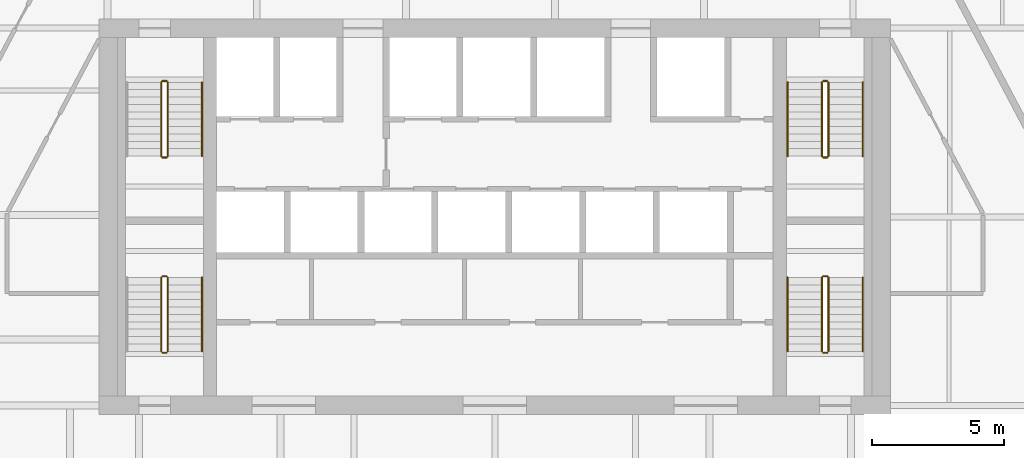
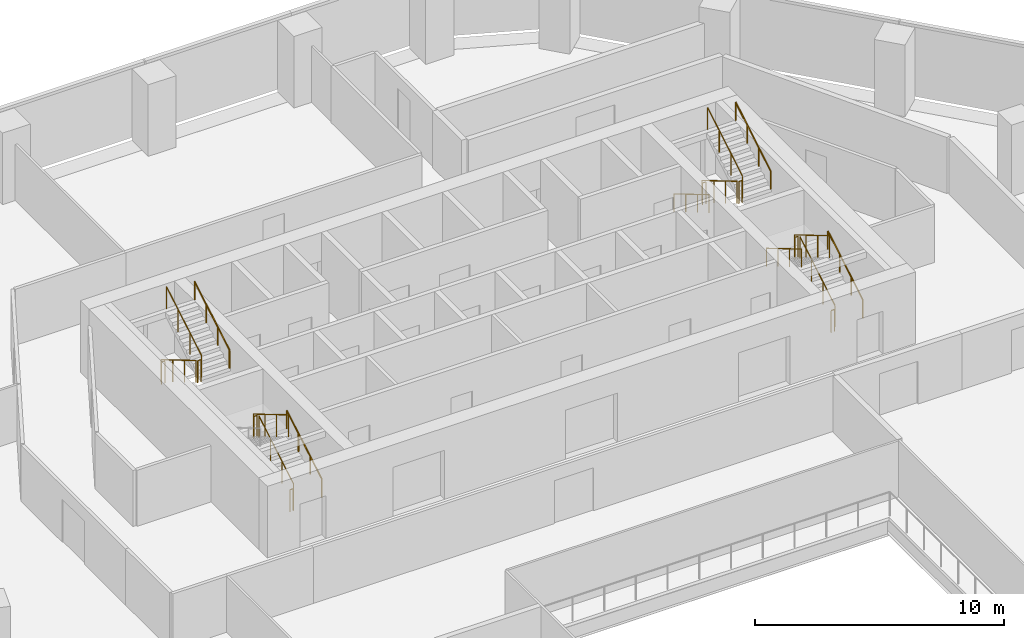
# One storey, part 15 of 16: 22 railings.
"""IFC4 building model written with IfcOpenShell, lengths in metres."""

from ifc_helpers import new_model, si_unit, direction, frame, origin, origin_2d, place, context, subcontext, project, spatial, circle, extrude, material, type_object, element, save


model = new_model("IFC4")

# Units and contexts
model_context = context("Model", 3, precision=1e-05, world=origin(), true_north=direction((0.0, 1.0)))
body_context = subcontext(model_context, "Body", "Model", "MODEL_VIEW")
ifc_project = project(units=[si_unit("LENGTHUNIT", "METRE"), si_unit("AREAUNIT", "SQUARE_METRE"), si_unit("VOLUMEUNIT", "CUBIC_METRE"), si_unit("PLANEANGLEUNIT", "RADIAN"), si_unit("MASSUNIT", "GRAM", prefix="KILO")], contexts=[model_context])

# Site, building, storey
site_placement = place(None, origin())
site = spatial("IfcSite", under=ifc_project, at=site_placement, CompositionType="ELEMENT")
building_placement = place(site_placement, origin())
building = spatial("IfcBuilding", under=site, at=building_placement, Name="Isthmus Gate Tower", CompositionType="ELEMENT")
storey_placement = place(building_placement, frame((0.0, 0.0, 170.800048828125)))
storey = spatial("IfcBuildingStorey", under=building, at=storey_placement, Name="L42", CompositionType="ELEMENT", Elevation=170.800048828125)

# Railings
ifc_material_1 = material(Name="Stainless steel balustrade", Category="steel")
railing_type_1 = type_object("IfcRailingType", Name="STAIR GUARD 1100", PredefinedType="GUARDRAIL", material=ifc_material_1)
railing_1_placement = place(storey_placement, frame((-12.64990234375, 12.60009765625, 0.165771484375)))
element("IfcRailing", 1, at=railing_1_placement, inside=storey, type_object=railing_type_1, Name="L42 ST1 stair guard 1", PredefinedType="GUARDRAIL", context=body_context, shape_type="SweptSolid", body=[
    extrude(circle(Radius=0.02392578125, at=origin_2d()), frame((0.0, 0.0, 1.076171875), z_axis=(0.0, -0.860306154799, 0.50977771628), x_axis=(1.0, 0.0, 0.0)), (0.0, 0.0, 1.0), 3.254638671875),
    extrude(circle(Radius=0.02099609375, at=origin_2d()), origin(), (0.0, 0.0, 1.0), 1.052001953125),
    extrude(circle(Radius=0.02099609375, at=origin_2d()), frame((0.0, -0.933349609375, 0.552978515625)), (0.0, 0.0, 1.0), 1.052001953125),
    extrude(circle(Radius=0.02099609375, at=origin_2d()), frame((0.0, -1.86669921875, 1.106201171875)), (0.0, 0.0, 1.0), 1.052001953125),
    extrude(circle(Radius=0.02099609375, at=origin_2d()), frame((0.0, -2.800048828125, 1.6591796875)), (0.0, 0.0, 1.0), 1.052001953125),
])
railing_2_placement = place(storey_placement, frame((-12.60009765625, 9.75, 1.824951171875)))
element("IfcRailing", 2, at=railing_2_placement, inside=storey, type_object=railing_type_1, Name="L42 ST1 stair guard 2", PredefinedType="GUARDRAIL", context=body_context, shape_type="SweptSolid", body=[
    extrude(circle(Radius=0.02392578125, at=origin_2d()), frame((0.0, 0.0, 1.076171875), z_axis=(1.0, 0.0, 0.0), x_axis=(0.0, 1.0, 0.0)), (0.0, 0.0, 1.0), 0.150146484375),
    extrude(circle(Radius=0.02099609375, at=origin_2d()), origin(), (0.0, 0.0, 1.0), 1.052001953125),
    extrude(circle(Radius=0.02099609375, at=origin_2d()), frame((0.150146484375, 0.0, 0.0)), (0.0, 0.0, 1.0), 1.052001953125),
])
railing_3_placement = place(storey_placement, frame((-12.39990234375, 9.800048828125, 1.990966796875)))
element("IfcRailing", 3, at=railing_3_placement, inside=storey, type_object=railing_type_1, Name="L42 ST1 stair guard 3", PredefinedType="GUARDRAIL", context=body_context, shape_type="SweptSolid", body=[
    extrude(circle(Radius=0.02392578125, at=origin_2d()), frame((0.0, 0.0, 1.076171875), z_axis=(0.0, 0.860339051648, 0.50972219513), x_axis=(-1.0, 0.0, 0.0)), (0.0, 0.0, 1.0), 3.254638671875),
    extrude(circle(Radius=0.02099609375, at=origin_2d()), origin(), (0.0, 0.0, 1.0), 1.052001953125),
    extrude(circle(Radius=0.02099609375, at=origin_2d()), frame((0.0, 0.933349609375, 0.552978515625)), (0.0, 0.0, 1.0), 1.052001953125),
    extrude(circle(Radius=0.02099609375, at=origin_2d()), frame((0.0, 1.86669921875, 1.10595703125)), (0.0, 0.0, 1.0), 1.052001953125),
    extrude(circle(Radius=0.02099609375, at=origin_2d()), frame((0.0, 2.800048828125, 1.658935546875)), (0.0, 0.0, 1.0), 1.052001953125),
])
railing_4_placement = place(storey_placement, frame((-12.60009765625, 12.64990234375, 0.0)))
element("IfcRailing", 4, at=railing_4_placement, inside=storey, type_object=railing_type_1, Name="L42 ST1 stair guard 4", PredefinedType="GUARDRAIL", context=body_context, shape_type="SweptSolid", body=[
    extrude(circle(Radius=0.02392578125, at=origin_2d()), frame((0.0, 0.0, 1.076171875), z_axis=(1.0, 0.0, 0.0), x_axis=(0.0, 1.0, 0.0)), (0.0, 0.0, 1.0), 0.150146484375),
    extrude(circle(Radius=0.02099609375, at=origin_2d()), origin(), (0.0, 0.0, 1.0), 1.052001953125),
    extrude(circle(Radius=0.02099609375, at=origin_2d()), frame((0.150146484375, 0.0, 0.0)), (0.0, 0.0, 1.0), 1.052001953125),
])
railing_5_placement = place(storey_placement, frame((12.39990234375, 12.60009765625, 0.165771484375)))
element("IfcRailing", 5, at=railing_5_placement, inside=storey, type_object=railing_type_1, Name="L42 ST2 stair guard 1", PredefinedType="GUARDRAIL", context=body_context, shape_type="SweptSolid", body=[
    extrude(circle(Radius=0.02392578125, at=origin_2d()), frame((0.0, 0.0, 1.076171875), z_axis=(0.0, -0.860306154799, 0.50977771628), x_axis=(1.0, 0.0, 0.0)), (0.0, 0.0, 1.0), 3.254638671875),
    extrude(circle(Radius=0.02099609375, at=origin_2d()), origin(), (0.0, 0.0, 1.0), 1.052001953125),
    extrude(circle(Radius=0.02099609375, at=origin_2d()), frame((0.0, -0.933349609375, 0.552978515625)), (0.0, 0.0, 1.0), 1.052001953125),
    extrude(circle(Radius=0.02099609375, at=origin_2d()), frame((0.0, -1.86669921875, 1.106201171875)), (0.0, 0.0, 1.0), 1.052001953125),
    extrude(circle(Radius=0.02099609375, at=origin_2d()), frame((0.0, -2.800048828125, 1.6591796875)), (0.0, 0.0, 1.0), 1.052001953125),
])
railing_6_placement = place(storey_placement, frame((12.449951171875, 9.75, 1.824951171875)))
element("IfcRailing", 6, at=railing_6_placement, inside=storey, type_object=railing_type_1, Name="L42 ST2 stair guard 2", PredefinedType="GUARDRAIL", context=body_context, shape_type="SweptSolid", body=[
    extrude(circle(Radius=0.02392578125, at=origin_2d()), frame((0.0, 0.0, 1.076171875), z_axis=(1.0, 0.0, 0.0), x_axis=(0.0, 1.0, 0.0)), (0.0, 0.0, 1.0), 0.150146484375),
    extrude(circle(Radius=0.02099609375, at=origin_2d()), origin(), (0.0, 0.0, 1.0), 1.052001953125),
    extrude(circle(Radius=0.02099609375, at=origin_2d()), frame((0.150146484375, 0.0, 0.0)), (0.0, 0.0, 1.0), 1.052001953125),
])
railing_7_placement = place(storey_placement, frame((12.64990234375, 9.800048828125, 1.990966796875)))
element("IfcRailing", 7, at=railing_7_placement, inside=storey, type_object=railing_type_1, Name="L42 ST2 stair guard 3", PredefinedType="GUARDRAIL", context=body_context, shape_type="SweptSolid", body=[
    extrude(circle(Radius=0.02392578125, at=origin_2d()), frame((0.0, 0.0, 1.076171875), z_axis=(0.0, 0.860339051648, 0.50972219513), x_axis=(-1.0, 0.0, 0.0)), (0.0, 0.0, 1.0), 3.254638671875),
    extrude(circle(Radius=0.02099609375, at=origin_2d()), origin(), (0.0, 0.0, 1.0), 1.052001953125),
    extrude(circle(Radius=0.02099609375, at=origin_2d()), frame((0.0, 0.933349609375, 0.552978515625)), (0.0, 0.0, 1.0), 1.052001953125),
    extrude(circle(Radius=0.02099609375, at=origin_2d()), frame((0.0, 1.86669921875, 1.10595703125)), (0.0, 0.0, 1.0), 1.052001953125),
    extrude(circle(Radius=0.02099609375, at=origin_2d()), frame((0.0, 2.800048828125, 1.658935546875)), (0.0, 0.0, 1.0), 1.052001953125),
])
railing_8_placement = place(storey_placement, frame((12.449951171875, 12.64990234375, 0.0)))
element("IfcRailing", 8, at=railing_8_placement, inside=storey, type_object=railing_type_1, Name="L42 ST2 stair guard 4", PredefinedType="GUARDRAIL", context=body_context, shape_type="SweptSolid", body=[
    extrude(circle(Radius=0.02392578125, at=origin_2d()), frame((0.0, 0.0, 1.076171875), z_axis=(1.0, 0.0, 0.0), x_axis=(0.0, 1.0, 0.0)), (0.0, 0.0, 1.0), 0.150146484375),
    extrude(circle(Radius=0.02099609375, at=origin_2d()), origin(), (0.0, 0.0, 1.0), 1.052001953125),
    extrude(circle(Radius=0.02099609375, at=origin_2d()), frame((0.150146484375, 0.0, 0.0)), (0.0, 0.0, 1.0), 1.052001953125),
])
railing_9_placement = place(storey_placement, frame((-12.39990234375, 2.39990234375, 0.165771484375)))
element("IfcRailing", 9, at=railing_9_placement, inside=storey, type_object=railing_type_1, Name="L42 ST7 stair guard 1", PredefinedType="GUARDRAIL", context=body_context, shape_type="SweptSolid", body=[
    extrude(circle(Radius=0.02392578125, at=origin_2d()), frame((0.0, 0.0, 1.076171875), z_axis=(0.0, 0.860306154799, 0.50977771628), x_axis=(-1.0, 0.0, 0.0)), (0.0, 0.0, 1.0), 3.254638671875),
    extrude(circle(Radius=0.02099609375, at=origin_2d()), origin(), (0.0, 0.0, 1.0), 1.052001953125),
    extrude(circle(Radius=0.02099609375, at=origin_2d()), frame((0.0, 0.933349609375, 0.552978515625)), (0.0, 0.0, 1.0), 1.052001953125),
    extrude(circle(Radius=0.02099609375, at=origin_2d()), frame((0.0, 1.86669921875, 1.106201171875)), (0.0, 0.0, 1.0), 1.052001953125),
    extrude(circle(Radius=0.02099609375, at=origin_2d()), frame((0.0, 2.800048828125, 1.6591796875)), (0.0, 0.0, 1.0), 1.052001953125),
])
railing_10_placement = place(storey_placement, frame((-12.449951171875, 5.25, 1.824951171875)))
element("IfcRailing", 10, at=railing_10_placement, inside=storey, type_object=railing_type_1, Name="L42 ST7 stair guard 2", PredefinedType="GUARDRAIL", context=body_context, shape_type="SweptSolid", body=[
    extrude(circle(Radius=0.02392578125, at=origin_2d()), frame((0.0, 0.0, 1.076171875), z_axis=(-1.0, 0.0, 0.0), x_axis=(0.0, -1.0, 0.0)), (0.0, 0.0, 1.0), 0.150146484375),
    extrude(circle(Radius=0.02099609375, at=origin_2d()), origin(), (0.0, 0.0, 1.0), 1.052001953125),
    extrude(circle(Radius=0.02099609375, at=origin_2d()), frame((-0.150146484375, 0.0, 0.0)), (0.0, 0.0, 1.0), 1.052001953125),
])
railing_11_placement = place(storey_placement, frame((-12.64990234375, 5.199951171875, 1.990966796875)))
element("IfcRailing", 11, at=railing_11_placement, inside=storey, type_object=railing_type_1, Name="L42 ST7 stair guard 3", PredefinedType="GUARDRAIL", context=body_context, shape_type="SweptSolid", body=[
    extrude(circle(Radius=0.02392578125, at=origin_2d()), frame((0.0, 0.0, 1.076171875), z_axis=(0.0, -0.860339051648, 0.50972219513), x_axis=(1.0, 0.0, 0.0)), (0.0, 0.0, 1.0), 3.254638671875),
    extrude(circle(Radius=0.02099609375, at=origin_2d()), origin(), (0.0, 0.0, 1.0), 1.052001953125),
    extrude(circle(Radius=0.02099609375, at=origin_2d()), frame((0.0, -0.933349609375, 0.552978515625)), (0.0, 0.0, 1.0), 1.052001953125),
    extrude(circle(Radius=0.02099609375, at=origin_2d()), frame((0.0, -1.86669921875, 1.10595703125)), (0.0, 0.0, 1.0), 1.052001953125),
    extrude(circle(Radius=0.02099609375, at=origin_2d()), frame((0.0, -2.800048828125, 1.658935546875)), (0.0, 0.0, 1.0), 1.052001953125),
])
railing_12_placement = place(storey_placement, frame((-12.449951171875, 2.35009765625, 0.0)))
element("IfcRailing", 12, at=railing_12_placement, inside=storey, type_object=railing_type_1, Name="L42 ST7 stair guard 4", PredefinedType="GUARDRAIL", context=body_context, shape_type="SweptSolid", body=[
    extrude(circle(Radius=0.02392578125, at=origin_2d()), frame((0.0, 0.0, 1.076171875), z_axis=(-1.0, 0.0, 0.0), x_axis=(0.0, -1.0, 0.0)), (0.0, 0.0, 1.0), 0.150146484375),
    extrude(circle(Radius=0.02099609375, at=origin_2d()), origin(), (0.0, 0.0, 1.0), 1.052001953125),
    extrude(circle(Radius=0.02099609375, at=origin_2d()), frame((-0.150146484375, 0.0, 0.0)), (0.0, 0.0, 1.0), 1.052001953125),
])
railing_13_placement = place(storey_placement, frame((12.64990234375, 2.39990234375, 0.165771484375)))
element("IfcRailing", 13, at=railing_13_placement, inside=storey, type_object=railing_type_1, Name="L42 ST8 stair guard 1", PredefinedType="GUARDRAIL", context=body_context, shape_type="SweptSolid", body=[
    extrude(circle(Radius=0.02392578125, at=origin_2d()), frame((0.0, 0.0, 1.076171875), z_axis=(0.0, 0.860306154799, 0.50977771628), x_axis=(-1.0, 0.0, 0.0)), (0.0, 0.0, 1.0), 3.254638671875),
    extrude(circle(Radius=0.02099609375, at=origin_2d()), origin(), (0.0, 0.0, 1.0), 1.052001953125),
    extrude(circle(Radius=0.02099609375, at=origin_2d()), frame((0.0, 0.933349609375, 0.552978515625)), (0.0, 0.0, 1.0), 1.052001953125),
    extrude(circle(Radius=0.02099609375, at=origin_2d()), frame((0.0, 1.86669921875, 1.106201171875)), (0.0, 0.0, 1.0), 1.052001953125),
    extrude(circle(Radius=0.02099609375, at=origin_2d()), frame((0.0, 2.800048828125, 1.6591796875)), (0.0, 0.0, 1.0), 1.052001953125),
])
railing_14_placement = place(storey_placement, frame((12.60009765625, 5.25, 1.824951171875)))
element("IfcRailing", 14, at=railing_14_placement, inside=storey, type_object=railing_type_1, Name="L42 ST8 stair guard 2", PredefinedType="GUARDRAIL", context=body_context, shape_type="SweptSolid", body=[
    extrude(circle(Radius=0.02392578125, at=origin_2d()), frame((0.0, 0.0, 1.076171875), z_axis=(-1.0, 0.0, 0.0), x_axis=(0.0, -1.0, 0.0)), (0.0, 0.0, 1.0), 0.150146484375),
    extrude(circle(Radius=0.02099609375, at=origin_2d()), origin(), (0.0, 0.0, 1.0), 1.052001953125),
    extrude(circle(Radius=0.02099609375, at=origin_2d()), frame((-0.150146484375, 0.0, 0.0)), (0.0, 0.0, 1.0), 1.052001953125),
])
railing_15_placement = place(storey_placement, frame((12.39990234375, 5.199951171875, 1.990966796875)))
element("IfcRailing", 15, at=railing_15_placement, inside=storey, type_object=railing_type_1, Name="L42 ST8 stair guard 3", PredefinedType="GUARDRAIL", context=body_context, shape_type="SweptSolid", body=[
    extrude(circle(Radius=0.02392578125, at=origin_2d()), frame((0.0, 0.0, 1.076171875), z_axis=(0.0, -0.860339051648, 0.50972219513), x_axis=(1.0, 0.0, 0.0)), (0.0, 0.0, 1.0), 3.254638671875),
    extrude(circle(Radius=0.02099609375, at=origin_2d()), origin(), (0.0, 0.0, 1.0), 1.052001953125),
    extrude(circle(Radius=0.02099609375, at=origin_2d()), frame((0.0, -0.933349609375, 0.552978515625)), (0.0, 0.0, 1.0), 1.052001953125),
    extrude(circle(Radius=0.02099609375, at=origin_2d()), frame((0.0, -1.86669921875, 1.10595703125)), (0.0, 0.0, 1.0), 1.052001953125),
    extrude(circle(Radius=0.02099609375, at=origin_2d()), frame((0.0, -2.800048828125, 1.658935546875)), (0.0, 0.0, 1.0), 1.052001953125),
])
railing_16_placement = place(storey_placement, frame((12.60009765625, 2.35009765625, 0.0)))
element("IfcRailing", 16, at=railing_16_placement, inside=storey, type_object=railing_type_1, Name="L42 ST8 stair guard 4", PredefinedType="GUARDRAIL", context=body_context, shape_type="SweptSolid", body=[
    extrude(circle(Radius=0.02392578125, at=origin_2d()), frame((0.0, 0.0, 1.076171875), z_axis=(-1.0, 0.0, 0.0), x_axis=(0.0, -1.0, 0.0)), (0.0, 0.0, 1.0), 0.150146484375),
    extrude(circle(Radius=0.02099609375, at=origin_2d()), origin(), (0.0, 0.0, 1.0), 1.052001953125),
    extrude(circle(Radius=0.02099609375, at=origin_2d()), frame((-0.150146484375, 0.0, 0.0)), (0.0, 0.0, 1.0), 1.052001953125),
])
ifc_material_2 = material(Name="Stainless steel handrail", Category="steel")
railing_type_2 = type_object("IfcRailingType", Name="STAIR HANDRAIL 900", PredefinedType="HANDRAIL", material=ifc_material_2)
railing_17_placement = place(storey_placement, frame((-11.10009765625, 9.800048828125, 1.990966796875)))
element("IfcRailing", 17, at=railing_17_placement, inside=storey, type_object=railing_type_2, Name="L42 ST1 stair handrail 2", PredefinedType="HANDRAIL", context=body_context, shape_type="SweptSolid", body=[
    extrude(circle(Radius=0.02392578125, at=origin_2d()), frame((0.0, 0.0, 0.8759765625), z_axis=(0.0, 0.860339051648, 0.50972219513), x_axis=(-1.0, 0.0, 0.0)), (0.0, 0.0, 1.0), 3.254638671875),
    extrude(circle(Radius=0.02099609375, at=origin_2d()), origin(), (0.0, 0.0, 1.0), 0.851806640625),
    extrude(circle(Radius=0.02099609375, at=origin_2d()), frame((0.0, 0.933349609375, 0.552978515625)), (0.0, 0.0, 1.0), 0.851806640625),
    extrude(circle(Radius=0.02099609375, at=origin_2d()), frame((0.0, 1.86669921875, 1.10595703125)), (0.0, 0.0, 1.0), 0.851806640625),
    extrude(circle(Radius=0.02099609375, at=origin_2d()), frame((0.0, 2.800048828125, 1.658935546875)), (0.0, 0.0, 1.0), 0.851806640625),
])
railing_18_placement = place(storey_placement, frame((11.10009765625, 12.60009765625, 0.165771484375)))
element("IfcRailing", 18, at=railing_18_placement, inside=storey, type_object=railing_type_2, Name="L42 ST2 stair handrail 1", PredefinedType="HANDRAIL", context=body_context, shape_type="SweptSolid", body=[
    extrude(circle(Radius=0.02392578125, at=origin_2d()), frame((0.0, 0.0, 0.8759765625), z_axis=(0.0, -0.860306154799, 0.50977771628), x_axis=(1.0, 0.0, 0.0)), (0.0, 0.0, 1.0), 3.254638671875),
    extrude(circle(Radius=0.02099609375, at=origin_2d()), origin(), (0.0, 0.0, 1.0), 0.851806640625),
    extrude(circle(Radius=0.02099609375, at=origin_2d()), frame((0.0, -0.933349609375, 0.552978515625)), (0.0, 0.0, 1.0), 0.851806640625),
    extrude(circle(Radius=0.02099609375, at=origin_2d()), frame((0.0, -1.86669921875, 1.106201171875)), (0.0, 0.0, 1.0), 0.851806640625),
    extrude(circle(Radius=0.02099609375, at=origin_2d()), frame((0.0, -2.800048828125, 1.6591796875)), (0.0, 0.0, 1.0), 0.851806640625),
])
railing_19_placement = place(storey_placement, frame((13.949951171875, 9.800048828125, 1.990966796875)))
element("IfcRailing", 19, at=railing_19_placement, inside=storey, type_object=railing_type_2, Name="L42 ST2 stair handrail 2", PredefinedType="HANDRAIL", context=body_context, shape_type="SweptSolid", body=[
    extrude(circle(Radius=0.02392578125, at=origin_2d()), frame((0.0, 0.0, 0.8759765625), z_axis=(0.0, 0.860339051648, 0.50972219513), x_axis=(-1.0, 0.0, 0.0)), (0.0, 0.0, 1.0), 3.254638671875),
    extrude(circle(Radius=0.02099609375, at=origin_2d()), origin(), (0.0, 0.0, 1.0), 0.851806640625),
    extrude(circle(Radius=0.02099609375, at=origin_2d()), frame((0.0, 0.933349609375, 0.552978515625)), (0.0, 0.0, 1.0), 0.851806640625),
    extrude(circle(Radius=0.02099609375, at=origin_2d()), frame((0.0, 1.86669921875, 1.10595703125)), (0.0, 0.0, 1.0), 0.851806640625),
    extrude(circle(Radius=0.02099609375, at=origin_2d()), frame((0.0, 2.800048828125, 1.658935546875)), (0.0, 0.0, 1.0), 0.851806640625),
])
for number, where, name in (
    (20, (-11.10009765625, 2.39990234375, 0.165771484375), "L42 ST7 stair handrail 1"),
    (21, (13.949951171875, 2.39990234375, 0.165771484375), "L42 ST8 stair handrail 1"),
):
    element("IfcRailing", number, at=place(storey_placement, frame(where)), inside=storey, type_object=railing_type_2, Name=name, PredefinedType="HANDRAIL", context=body_context, shape_type="SweptSolid", body=[
        extrude(circle(Radius=0.02392578125, at=origin_2d()), frame((0.0, 0.0, 0.8759765625), z_axis=(0.0, 0.860306154799, 0.50977771628), x_axis=(-1.0, 0.0, 0.0)), (0.0, 0.0, 1.0), 3.254638671875),
        extrude(circle(Radius=0.02099609375, at=origin_2d()), origin(), (0.0, 0.0, 1.0), 0.851806640625),
        extrude(circle(Radius=0.02099609375, at=origin_2d()), frame((0.0, 0.933349609375, 0.552978515625)), (0.0, 0.0, 1.0), 0.851806640625),
        extrude(circle(Radius=0.02099609375, at=origin_2d()), frame((0.0, 1.86669921875, 1.106201171875)), (0.0, 0.0, 1.0), 0.851806640625),
        extrude(circle(Radius=0.02099609375, at=origin_2d()), frame((0.0, 2.800048828125, 1.6591796875)), (0.0, 0.0, 1.0), 0.851806640625),
    ])
railing_20_placement = place(storey_placement, frame((11.10009765625, 5.199951171875, 1.990966796875)))
element("IfcRailing", 22, at=railing_20_placement, inside=storey, type_object=railing_type_2, Name="L42 ST8 stair handrail 2", PredefinedType="HANDRAIL", context=body_context, shape_type="SweptSolid", body=[
    extrude(circle(Radius=0.02392578125, at=origin_2d()), frame((0.0, 0.0, 0.8759765625), z_axis=(0.0, -0.860339051648, 0.50972219513), x_axis=(1.0, 0.0, 0.0)), (0.0, 0.0, 1.0), 3.254638671875),
    extrude(circle(Radius=0.02099609375, at=origin_2d()), origin(), (0.0, 0.0, 1.0), 0.851806640625),
    extrude(circle(Radius=0.02099609375, at=origin_2d()), frame((0.0, -0.933349609375, 0.552978515625)), (0.0, 0.0, 1.0), 0.851806640625),
    extrude(circle(Radius=0.02099609375, at=origin_2d()), frame((0.0, -1.86669921875, 1.10595703125)), (0.0, 0.0, 1.0), 0.851806640625),
    extrude(circle(Radius=0.02099609375, at=origin_2d()), frame((0.0, -2.800048828125, 1.658935546875)), (0.0, 0.0, 1.0), 0.851806640625),
])

save(model, "model.ifc")
